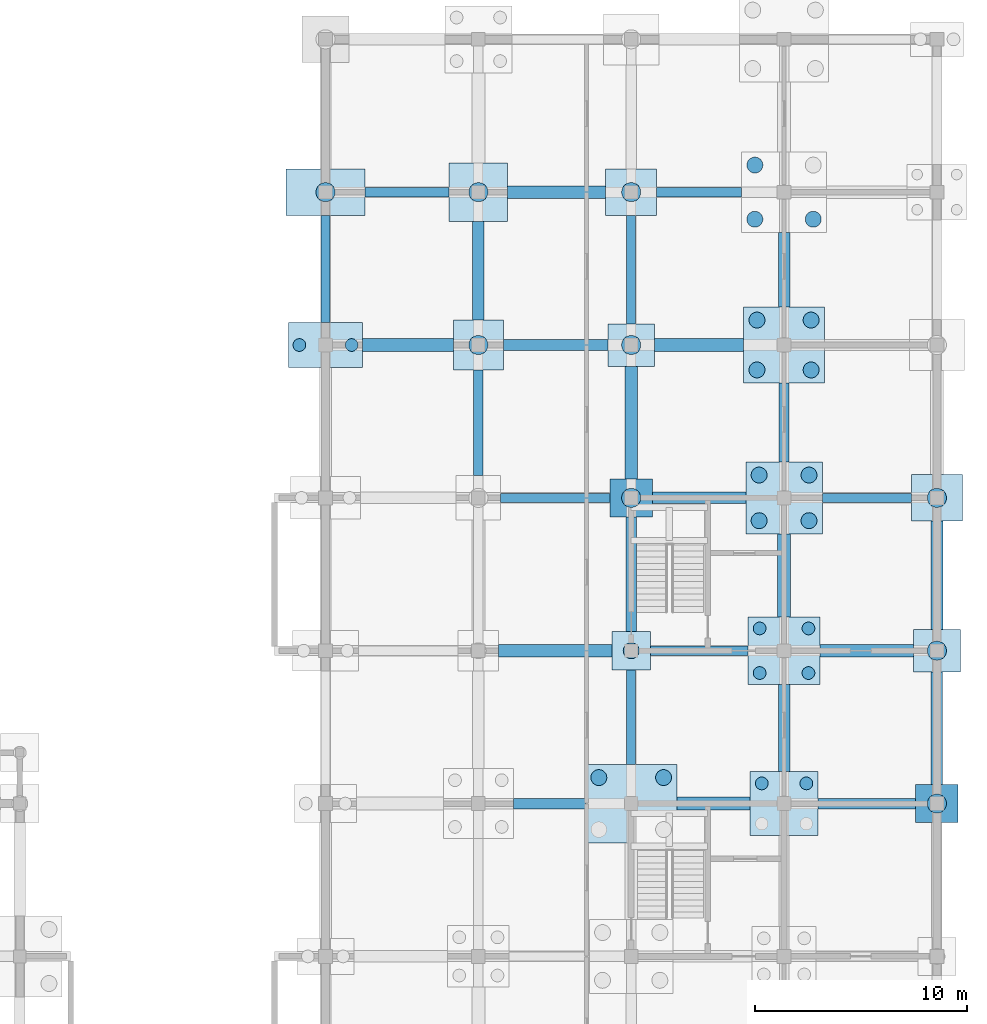
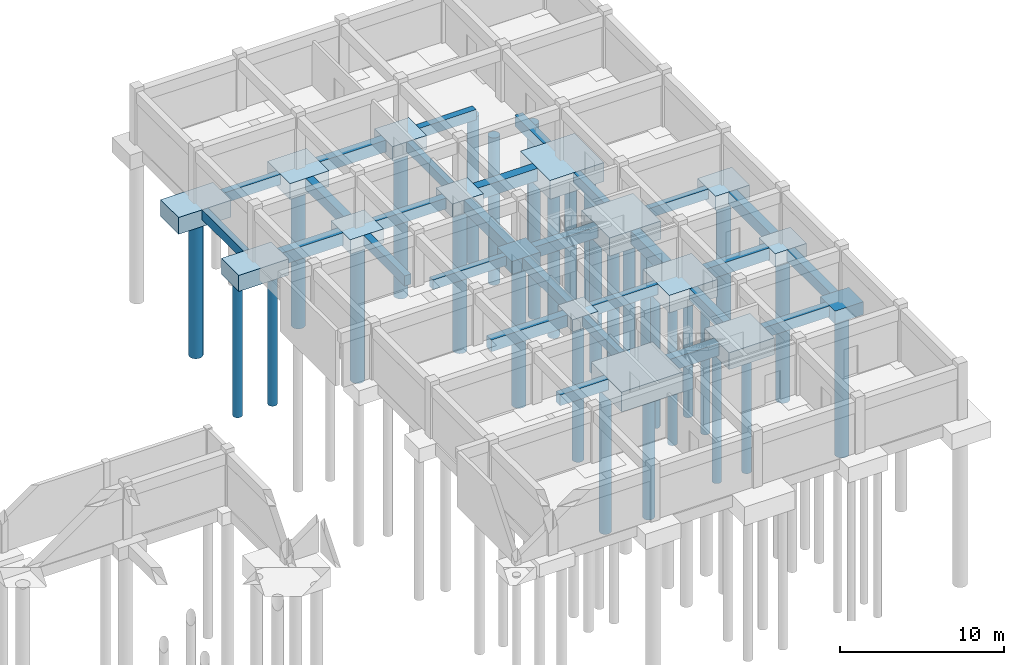
# One storey, part 12 of 38: 44 footings, 31 piles.
"""IFC4 building model written with IfcOpenShell, lengths in metres."""

from ifc_helpers import new_model, si_unit, direction, frame, origin, origin_2d, place, context, subcontext, project, spatial, polyline, rectangle, circle, outline, extrude, material, material_profile, profile_set, type_object, element, save


model = new_model("IFC4")

# Units and contexts
model_context = context("Model", 3, precision=1e-05, world=origin(), true_north=direction((0.0, 1.0)))
body_context = subcontext(model_context, "Body", "Model", "MODEL_VIEW")
ifc_project = project(units=[si_unit("LENGTHUNIT", "METRE"), si_unit("AREAUNIT", "SQUARE_METRE"), si_unit("VOLUMEUNIT", "CUBIC_METRE"), si_unit("PLANEANGLEUNIT", "RADIAN"), si_unit("MASSUNIT", "GRAM", prefix="KILO"), si_unit("THERMODYNAMICTEMPERATUREUNIT", "KELVIN"), si_unit("POWERUNIT", "WATT")], contexts=[model_context])

# Site, building, storey
site_placement = place(None, origin())
site = spatial("IfcSite", under=ifc_project, at=site_placement, CompositionType="ELEMENT")
building_placement = place(site_placement, origin())
building = spatial("IfcBuilding", under=site, at=building_placement, Name="Tavuni Mirador Residences", CompositionType="ELEMENT")
storey_placement = place(building_placement, frame((0.0, 0.0, -4.199951171875)))
storey = spatial("IfcBuildingStorey", under=building, at=storey_placement, Name="B1", CompositionType="ELEMENT", Elevation=-4.199951171875)

# Footings
ifc_material = material(Name="In-situ concrete C35/45", Category="concrete")
footing_type_1 = type_object("IfcFootingType", Name="FT-GB01", PredefinedType="FOOTING_BEAM", material=ifc_material)
footing_1_placement = place(storey_placement, frame((0.0, 0.0, -0.719970703125)))
element("IfcFooting", 1, at=footing_1_placement, inside=storey, type_object=footing_type_1, Name="GBY-BLK-D-00-05", PredefinedType="FOOTING_BEAM", context=body_context, shape_type="SweptSolid", body=[
    extrude(outline(polyline([(89.7900390625, 123.449951171875), (90.2099609375, 123.449951171875), (90.2099609375, 128.5), (89.7900390625, 128.5), (89.7900390625, 123.449951171875)])), origin(), (0.0, 0.0, 1.0), 0.719970703125),
])
footing_2_placement = place(storey_placement, frame((0.0, 0.0, -0.719970703125)))
element("IfcFooting", 2, at=footing_2_placement, inside=storey, type_object=footing_type_1, Name="GBX-BLK-D-01-04", PredefinedType="FOOTING_BEAM", context=body_context, shape_type="SweptSolid", body=[
    extrude(outline(polyline([(98.25, 114.989990234375), (103.39990234375, 114.989990234375), (103.39990234375, 115.409912109375), (98.25, 115.409912109375), (98.25, 114.989990234375)])), origin(), (0.0, 0.0, 1.0), 0.719970703125),
])
footing_3_placement = place(storey_placement, frame((0.0, 0.0, -0.719970703125)))
element("IfcFooting", 3, at=footing_3_placement, inside=storey, type_object=footing_type_1, Name="GBY-BLK-D-02-02", PredefinedType="FOOTING_BEAM", context=body_context, shape_type="SweptSolid", body=[
    extrude(outline(polyline([(104.18994140625, 102.64990234375), (104.610107421875, 102.64990234375), (104.610107421875, 107.10009765625), (104.18994140625, 107.10009765625), (104.18994140625, 102.64990234375)])), origin(), (0.0, 0.0, 1.0), 0.719970703125),
])
footing_4_placement = place(storey_placement, frame((0.0, 0.0, -0.719970703125)))
element("IfcFooting", 4, at=footing_4_placement, inside=storey, type_object=footing_type_1, Name="GBY-BLK-D-02-05", PredefinedType="FOOTING_BEAM", context=body_context, shape_type="SweptSolid", body=[
    extrude(outline(polyline([(104.18994140625, 123.39990234375), (104.610107421875, 123.39990234375), (104.610107421875, 128.5), (104.18994140625, 128.5), (104.18994140625, 123.39990234375)])), origin(), (0.0, 0.0, 1.0), 0.719970703125),
])
footing_5_placement = place(storey_placement, frame((0.0, 0.0, -0.719970703125)))
element("IfcFooting", 5, at=footing_5_placement, inside=storey, type_object=footing_type_1, Name="GBX-BLK-D-03-04", PredefinedType="FOOTING_BEAM", context=body_context, shape_type="SweptSolid", body=[
    extrude(outline(polyline([(113.39990234375, 114.989990234375), (117.60009765625, 114.989990234375), (117.60009765625, 115.409912109375), (113.39990234375, 115.409912109375), (113.39990234375, 114.989990234375)])), origin(), (0.0, 0.0, 1.0), 0.719970703125),
])
footing_type_2 = type_object("IfcFootingType", Name="FT-GB02", PredefinedType="FOOTING_BEAM", material=ifc_material)
footing_6_placement = place(storey_placement, frame((0.0, 0.0, -0.760009765625)))
element("IfcFooting", 6, at=footing_6_placement, inside=storey, type_object=footing_type_2, Name="GBX-BLK-D-00-06", PredefinedType="FOOTING_BEAM", context=body_context, shape_type="SweptSolid", body=[
    extrude(outline(polyline([(91.85009765625, 129.3701171875), (95.824951171875, 129.3701171875), (95.824951171875, 129.830078125), (91.85009765625, 129.830078125), (91.85009765625, 129.3701171875)])), origin(), (0.0, 0.0, 1.0), 0.760009765625),
])
footing_7_placement = place(storey_placement, frame((0.0, 0.0, -0.760009765625)))
element("IfcFooting", 7, at=footing_7_placement, inside=storey, type_object=footing_type_2, Name="GBY-BLK-D-01-04", PredefinedType="FOOTING_BEAM", context=body_context, shape_type="SweptSolid", body=[
    extrude(outline(polyline([(96.969970703125, 116.25), (97.429931640625, 116.25), (97.429931640625, 121.22509765625), (96.969970703125, 121.22509765625), (96.969970703125, 116.25)])), origin(), (0.0, 0.0, 1.0), 0.760009765625),
])
footing_8_placement = place(storey_placement, frame((0.0, 0.0, -0.760009765625)))
element("IfcFooting", 8, at=footing_8_placement, inside=storey, type_object=footing_type_2, Name="GBX-BLK-D-02-03", PredefinedType="FOOTING_BEAM", context=body_context, shape_type="SweptSolid", body=[
    extrude(outline(polyline([(105.300048828125, 107.77001953125), (109.89990234375, 107.77001953125), (109.89990234375, 108.22998046875), (105.300048828125, 108.22998046875), (105.300048828125, 107.77001953125)])), origin(), (0.0, 0.0, 1.0), 0.760009765625),
])
footing_9_placement = place(storey_placement, frame((0.0, 0.0, -0.760009765625)))
element("IfcFooting", 9, at=footing_9_placement, inside=storey, type_object=footing_type_2, Name="GBX-BLK-D-02-06", PredefinedType="FOOTING_BEAM", context=body_context, shape_type="SweptSolid", body=[
    extrude(outline(polyline([(105.60009765625, 129.3701171875), (109.60009765625, 129.3701171875), (109.60009765625, 129.830078125), (105.60009765625, 129.830078125), (105.60009765625, 129.3701171875)])), origin(), (0.0, 0.0, 1.0), 0.760009765625),
])
footing_10_placement = place(storey_placement, frame((0.0, 0.0, -0.760009765625)))
element("IfcFooting", 10, at=footing_10_placement, inside=storey, type_object=footing_type_2, Name="GBY-BLK-D-03-04", PredefinedType="FOOTING_BEAM", context=body_context, shape_type="SweptSolid", body=[
    extrude(outline(polyline([(111.3701171875, 116.89990234375), (111.830078125, 116.89990234375), (111.830078125, 120.60009765625), (111.3701171875, 120.60009765625), (111.3701171875, 116.89990234375)])), origin(), (0.0, 0.0, 1.0), 0.760009765625),
])
footing_type_3 = type_object("IfcFootingType", Name="FT-GB03", PredefinedType="FOOTING_BEAM", material=ifc_material)
footing_11_placement = place(storey_placement, frame((0.0, 0.0, -0.800048828125)))
element("IfcFooting", 11, at=footing_11_placement, inside=storey, type_object=footing_type_3, Name="GBX-BLK-D-01-02", PredefinedType="FOOTING_BEAM", context=body_context, shape_type="SweptSolid", body=[
    extrude(outline(polyline([(98.85009765625, 100.550048828125), (102.25, 100.550048828125), (102.25, 101.050048828125), (98.85009765625, 101.050048828125), (98.85009765625, 100.550048828125)])), origin(), (0.0, 0.0, 1.0), 0.800048828125),
])
footing_12_placement = place(storey_placement, frame((0.0, 0.0, -0.800048828125)))
element("IfcFooting", 12, at=footing_12_placement, inside=storey, type_object=footing_type_3, Name="GBX-BLK-D-01-05", PredefinedType="FOOTING_BEAM", context=body_context, shape_type="SweptSolid", body=[
    extrude(outline(polyline([(98.375, 122.14990234375), (103.300048828125, 122.14990234375), (103.300048828125, 122.64990234375), (98.375, 122.64990234375), (98.375, 122.14990234375)])), origin(), (0.0, 0.0, 1.0), 0.800048828125),
])
footing_13_placement = place(storey_placement, frame((0.0, 0.0, -0.800048828125)))
element("IfcFooting", 13, at=footing_13_placement, inside=storey, type_object=footing_type_3, Name="GBY-BLK-D-02-03", PredefinedType="FOOTING_BEAM", context=body_context, shape_type="SweptSolid", body=[
    extrude(outline(polyline([(104.14990234375, 108.89990234375), (104.64990234375, 108.89990234375), (104.64990234375, 114.300048828125), (104.14990234375, 114.300048828125), (104.14990234375, 108.89990234375)])), origin(), (0.0, 0.0, 1.0), 0.800048828125),
])
footing_14_placement = place(storey_placement, frame((0.0, 0.0, -0.800048828125)))
element("IfcFooting", 14, at=footing_14_placement, inside=storey, type_object=footing_type_3, Name="GBX-BLK-D-03-02", PredefinedType="FOOTING_BEAM", context=body_context, shape_type="SweptSolid", body=[
    extrude(outline(polyline([(113.199951171875, 100.550048828125), (117.800048828125, 100.550048828125), (117.800048828125, 101.050048828125), (113.199951171875, 101.050048828125), (113.199951171875, 100.550048828125)])), origin(), (0.0, 0.0, 1.0), 0.800048828125),
])
footing_type_4 = type_object("IfcFootingType", Name="FT-GB04", PredefinedType="FOOTING_BEAM", material=ifc_material)
footing_15_placement = place(storey_placement, frame((0.0, 0.0, -0.840087890625)))
element("IfcFooting", 15, at=footing_15_placement, inside=storey, type_object=footing_type_4, Name="GBY-BLK-D-01-05", PredefinedType="FOOTING_BEAM", context=body_context, shape_type="SweptSolid", body=[
    extrude(outline(polyline([(96.929931640625, 123.574951171875), (97.469970703125, 123.574951171875), (97.469970703125, 128.22509765625), (96.929931640625, 128.22509765625), (96.929931640625, 123.574951171875)])), origin(), (0.0, 0.0, 1.0), 0.840087890625),
])
footing_16_placement = place(storey_placement, frame((0.0, 0.0, -0.840087890625)))
element("IfcFooting", 16, at=footing_16_placement, inside=storey, type_object=footing_type_4, Name="GBX-BLK-D-02-04", PredefinedType="FOOTING_BEAM", context=body_context, shape_type="SweptSolid", body=[
    extrude(outline(polyline([(105.39990234375, 114.929931640625), (109.800048828125, 114.929931640625), (109.800048828125, 115.469970703125), (105.39990234375, 115.469970703125), (105.39990234375, 114.929931640625)])), origin(), (0.0, 0.0, 1.0), 0.840087890625),
])
footing_17_placement = place(storey_placement, frame((0.0, 0.0, -0.840087890625)))
element("IfcFooting", 17, at=footing_17_placement, inside=storey, type_object=footing_type_4, Name="GBY-BLK-D-03-02", PredefinedType="FOOTING_BEAM", context=body_context, shape_type="SweptSolid", body=[
    extrude(outline(polyline([(111.330078125, 102.300048828125), (111.8701171875, 102.300048828125), (111.8701171875, 106.39990234375), (111.330078125, 106.39990234375), (111.330078125, 102.300048828125)])), origin(), (0.0, 0.0, 1.0), 0.840087890625),
])
footing_18_placement = place(storey_placement, frame((0.0, 0.0, -0.840087890625)))
element("IfcFooting", 18, at=footing_18_placement, inside=storey, type_object=footing_type_4, Name="GBY-BLK-D-03-05", PredefinedType="FOOTING_BEAM", context=body_context, shape_type="SweptSolid", body=[
    extrude(outline(polyline([(111.330078125, 124.199951171875), (111.8701171875, 124.199951171875), (111.8701171875, 127.699951171875), (111.330078125, 127.699951171875), (111.330078125, 124.199951171875)])), origin(), (0.0, 0.0, 1.0), 0.840087890625),
])
footing_19_placement = place(storey_placement, frame((0.0, 0.0, -0.840087890625)))
element("IfcFooting", 19, at=footing_19_placement, inside=storey, type_object=footing_type_4, Name="GBY-BLK-D-04-02", PredefinedType="FOOTING_BEAM", context=body_context, shape_type="SweptSolid", body=[
    extrude(outline(polyline([(118.530029296875, 101.699951171875), (119.070068359375, 101.699951171875), (119.070068359375, 107.0), (118.530029296875, 107.0), (118.530029296875, 101.699951171875)])), origin(), (0.0, 0.0, 1.0), 0.840087890625),
])
footing_type_5 = type_object("IfcFootingType", Name="FT-GB05", PredefinedType="FOOTING_BEAM", material=ifc_material)
footing_20_placement = place(storey_placement, frame((0.0, 0.0, -0.880126953125)))
element("IfcFooting", 20, at=footing_20_placement, inside=storey, type_object=footing_type_5, Name="GBX-BLK-D-01-03", PredefinedType="FOOTING_BEAM", context=body_context, shape_type="SweptSolid", body=[
    extrude(outline(polyline([(98.14990234375, 107.7099609375), (103.5, 107.7099609375), (103.5, 108.2900390625), (98.14990234375, 108.2900390625), (98.14990234375, 107.7099609375)])), origin(), (0.0, 0.0, 1.0), 0.880126953125),
])
footing_21_placement = place(storey_placement, frame((0.0, 0.0, -0.880126953125)))
element("IfcFooting", 21, at=footing_21_placement, inside=storey, type_object=footing_type_5, Name="GBX-BLK-D-01-06", PredefinedType="FOOTING_BEAM", context=body_context, shape_type="SweptSolid", body=[
    extrude(outline(polyline([(98.574951171875, 129.31005859375), (103.199951171875, 129.31005859375), (103.199951171875, 129.889892578125), (98.574951171875, 129.889892578125), (98.574951171875, 129.31005859375)])), origin(), (0.0, 0.0, 1.0), 0.880126953125),
])
footing_22_placement = place(storey_placement, frame((0.0, 0.0, -0.880126953125)))
element("IfcFooting", 22, at=footing_22_placement, inside=storey, type_object=footing_type_5, Name="GBY-BLK-D-02-04", PredefinedType="FOOTING_BEAM", context=body_context, shape_type="SweptSolid", body=[
    extrude(outline(polyline([(104.110107421875, 116.10009765625), (104.68994140625, 116.10009765625), (104.68994140625, 121.39990234375), (104.110107421875, 121.39990234375), (104.110107421875, 116.10009765625)])), origin(), (0.0, 0.0, 1.0), 0.880126953125),
])
footing_23_placement = place(storey_placement, frame((0.0, 0.0, -0.880126953125)))
element("IfcFooting", 23, at=footing_23_placement, inside=storey, type_object=footing_type_5, Name="GBX-BLK-D-03-03", PredefinedType="FOOTING_BEAM", context=body_context, shape_type="SweptSolid", body=[
    extrude(outline(polyline([(113.300048828125, 107.7099609375), (117.699951171875, 107.7099609375), (117.699951171875, 108.2900390625), (113.300048828125, 108.2900390625), (113.300048828125, 107.7099609375)])), origin(), (0.0, 0.0, 1.0), 0.880126953125),
])
footing_24_placement = place(storey_placement, frame((0.0, 0.0, -0.880126953125)))
element("IfcFooting", 24, at=footing_24_placement, inside=storey, type_object=footing_type_5, Name="GBY-BLK-D-04-03", PredefinedType="FOOTING_BEAM", context=body_context, shape_type="SweptSolid", body=[
    extrude(outline(polyline([(118.510009765625, 109.0), (119.090087890625, 109.0), (119.090087890625, 114.10009765625), (118.510009765625, 114.10009765625), (118.510009765625, 109.0)])), origin(), (0.0, 0.0, 1.0), 0.880126953125),
])
footing_type_6 = type_object("IfcFootingType", Name="FT-GB06", PredefinedType="FOOTING_BEAM", material=ifc_material)
footing_25_placement = place(storey_placement, frame((0.0, 0.0, -0.920166015625)))
element("IfcFooting", 25, at=footing_25_placement, inside=storey, type_object=footing_type_6, Name="GBX-BLK-D-00-05", PredefinedType="FOOTING_BEAM", context=body_context, shape_type="SweptSolid", body=[
    extrude(outline(polyline([(91.75, 122.090087890625), (96.02490234375, 122.090087890625), (96.02490234375, 122.7099609375), (91.75, 122.7099609375), (91.75, 122.090087890625)])), origin(), (0.0, 0.0, 1.0), 0.920166015625),
])
footing_26_placement = place(storey_placement, frame((0.0, 0.0, -0.920166015625)))
element("IfcFooting", 26, at=footing_26_placement, inside=storey, type_object=footing_type_6, Name="GBX-BLK-D-02-02", PredefinedType="FOOTING_BEAM", context=body_context, shape_type="SweptSolid", body=[
    extrude(outline(polyline([(106.550048828125, 100.489990234375), (110.0, 100.489990234375), (110.0, 101.110107421875), (106.550048828125, 101.110107421875), (106.550048828125, 100.489990234375)])), origin(), (0.0, 0.0, 1.0), 0.920166015625),
])
footing_27_placement = place(storey_placement, frame((0.0, 0.0, -0.920166015625)))
element("IfcFooting", 27, at=footing_27_placement, inside=storey, type_object=footing_type_6, Name="GBX-BLK-D-02-05", PredefinedType="FOOTING_BEAM", context=body_context, shape_type="SweptSolid", body=[
    extrude(outline(polyline([(105.5, 122.090087890625), (109.699951171875, 122.090087890625), (109.699951171875, 122.7099609375), (105.5, 122.7099609375), (105.5, 122.090087890625)])), origin(), (0.0, 0.0, 1.0), 0.920166015625),
])
footing_28_placement = place(storey_placement, frame((0.0, 0.0, -0.920166015625)))
element("IfcFooting", 28, at=footing_28_placement, inside=storey, type_object=footing_type_6, Name="GBY-BLK-D-03-03", PredefinedType="FOOTING_BEAM", context=body_context, shape_type="SweptSolid", body=[
    extrude(outline(polyline([(111.2900390625, 109.60009765625), (111.909912109375, 109.60009765625), (111.909912109375, 113.5), (111.2900390625, 113.5), (111.2900390625, 109.60009765625)])), origin(), (0.0, 0.0, 1.0), 0.920166015625),
])
footing_type_7 = type_object("IfcFootingType", Name="FT-PC01", PredefinedType="PILE_CAP", material=ifc_material)
footing_29_placement = place(storey_placement, frame((104.39990234375, 108.0, -0.89990234375), z_axis=(0.0, 0.0, 1.0), x_axis=(1.0, 0.0, 0.0)))
element("IfcFooting", 29, at=footing_29_placement, inside=storey, type_object=footing_type_7, Name="CAP-BLK-D-02-03", PredefinedType="PILE_CAP", context=body_context, shape_type="SweptSolid", body=[
    extrude(rectangle(XDim=1.800048828125, YDim=1.800048828125, at=origin_2d()), origin(), (0.0, 0.0, 1.0), 0.89990234375),
])
footing_type_8 = type_object("IfcFootingType", Name="FT-PC02", PredefinedType="PILE_CAP", material=ifc_material)
for number, where, z_axis, x_axis, name in (
    (30, (104.39990234375, 115.199951171875, -0.9501953125), (0.0, 0.0, 1.0), (1.0, 0.0, 0.0), "CAP-BLK-D-02-04"),
    (31, (118.800048828125, 100.800048828125, -0.9501953125), (0.0, 0.0, 1.0), (1.0, 0.0, 0.0), "CAP-BLK-D-04-02"),
):
    element("IfcFooting", number, at=place(storey_placement, frame(where, z_axis=z_axis, x_axis=x_axis)), inside=storey, type_object=footing_type_8, Name=name, PredefinedType="PILE_CAP", context=body_context, shape_type="SweptSolid", body=[
        extrude(rectangle(XDim=2.0, YDim=1.800048828125, at=origin_2d()), origin(), (0.0, 0.0, 1.0), 0.949951171875),
    ])
footing_type_9 = type_object("IfcFootingType", Name="FT-PC03", PredefinedType="PILE_CAP", material=ifc_material)
for number, where, z_axis, x_axis, name in (
    (32, (104.39990234375, 122.39990234375, -1.0), (0.0, 0.0, 1.0), (1.0, 0.0, 0.0), "CAP-BLK-D-02-05"),
    (33, (118.800048828125, 108.0, -1.0), (0.0, 0.0, 1.0), (1.0, 0.0, 0.0), "CAP-BLK-D-04-03"),
):
    element("IfcFooting", number, at=place(storey_placement, frame(where, z_axis=z_axis, x_axis=x_axis)), inside=storey, type_object=footing_type_9, Name=name, PredefinedType="PILE_CAP", context=body_context, shape_type="SweptSolid", body=[
        extrude(rectangle(XDim=2.199951171875, YDim=2.0, at=origin_2d()), origin(), (0.0, 0.0, 1.0), 1.0),
    ])
footing_type_10 = type_object("IfcFootingType", Name="FT-PC04", PredefinedType="PILE_CAP", material=ifc_material)
for number, where, z_axis, x_axis, name in (
    (34, (104.39990234375, 129.60009765625, -1.05029296875), (0.0, 0.0, 1.0), (1.0, 0.0, 0.0), "CAP-BLK-D-02-06"),
    (35, (118.800048828125, 115.199951171875, -1.05029296875), (0.0, 0.0, 1.0), (1.0, 0.0, 0.0), "CAP-BLK-D-04-04"),
):
    element("IfcFooting", number, at=place(storey_placement, frame(where, z_axis=z_axis, x_axis=x_axis)), inside=storey, type_object=footing_type_10, Name=name, PredefinedType="PILE_CAP", context=body_context, shape_type="SweptSolid", body=[
        extrude(rectangle(XDim=2.39990234375, YDim=2.199951171875, at=origin_2d()), origin(), (0.0, 0.0, 1.0), 1.050048828125),
    ])
footing_type_11 = type_object("IfcFootingType", Name="FT-PC08", PredefinedType="PILE_CAP", material=ifc_material)
footing_30_placement = place(storey_placement, frame((111.60009765625, 100.800048828125, -1.25), z_axis=(0.0, 0.0, 1.0), x_axis=(1.0, 0.0, 0.0)))
element("IfcFooting", 36, at=footing_30_placement, inside=storey, type_object=footing_type_11, Name="CAP-BLK-D-03-02", PredefinedType="PILE_CAP", context=body_context, shape_type="SweptSolid", body=[
    extrude(rectangle(XDim=3.199951171875, YDim=3.0, at=origin_2d()), origin(), (0.0, 0.0, 1.0), 1.25),
])
footing_type_12 = type_object("IfcFootingType", Name="FT-PC09", PredefinedType="PILE_CAP", material=ifc_material)
footing_31_placement = place(storey_placement, frame((111.60009765625, 108.0, -1.30029296875), z_axis=(0.0, 0.0, 1.0), x_axis=(1.0, 0.0, 0.0)))
element("IfcFooting", 37, at=footing_31_placement, inside=storey, type_object=footing_type_12, Name="CAP-BLK-D-03-03", PredefinedType="PILE_CAP", context=body_context, shape_type="SweptSolid", body=[
    extrude(rectangle(XDim=3.39990234375, YDim=3.199951171875, at=origin_2d()), origin(), (0.0, 0.0, 1.0), 1.300048828125),
])
footing_type_13 = type_object("IfcFootingType", Name="FT-PC10", PredefinedType="PILE_CAP", material=ifc_material)
footing_32_placement = place(storey_placement, frame((111.60009765625, 115.199951171875, -1.35009765625), z_axis=(0.0, 0.0, 1.0), x_axis=(1.0, 0.0, 0.0)))
element("IfcFooting", 38, at=footing_32_placement, inside=storey, type_object=footing_type_13, Name="CAP-BLK-D-03-04", PredefinedType="PILE_CAP", context=body_context, shape_type="SweptSolid", body=[
    extrude(rectangle(XDim=3.60009765625, YDim=3.39990234375, at=origin_2d()), origin(), (0.0, 0.0, 1.0), 1.35009765625),
])
footing_type_14 = type_object("IfcFootingType", Name="FT-PC11", PredefinedType="PILE_CAP", material=ifc_material)
footing_33_placement = place(storey_placement, frame((111.60009765625, 122.39990234375, -1.39990234375), z_axis=(0.0, 0.0, 1.0), x_axis=(1.0, 0.0, 0.0)))
element("IfcFooting", 39, at=footing_33_placement, inside=storey, type_object=footing_type_14, Name="CAP-BLK-D-03-05", PredefinedType="PILE_CAP", context=body_context, shape_type="SweptSolid", body=[
    extrude(rectangle(XDim=3.800048828125, YDim=3.60009765625, at=origin_2d()), origin(), (0.0, 0.0, 1.0), 1.39990234375),
])
footing_type_15 = type_object("IfcFootingType", Name="FT-PC19", PredefinedType="PILE_CAP", material=ifc_material)
footing_34_placement = place(storey_placement, frame((90.0, 122.39990234375, -1.2001953125), z_axis=(0.0, 0.0, 1.0), x_axis=(1.0, 0.0, 0.0)))
element("IfcFooting", 40, at=footing_34_placement, inside=storey, type_object=footing_type_15, Name="CAP-BLK-D-00-05", PredefinedType="PILE_CAP", context=body_context, shape_type="SweptSolid", body=[
    extrude(rectangle(XDim=3.5, YDim=2.10009765625, at=origin_2d()), origin(), (0.0, 0.0, 1.0), 1.199951171875),
])
footing_type_16 = type_object("IfcFootingType", Name="FT-PC20", PredefinedType="PILE_CAP", material=ifc_material)
footing_35_placement = place(storey_placement, frame((90.0, 129.60009765625, -1.25), z_axis=(0.0, 0.0, 1.0), x_axis=(1.0, 0.0, 0.0)))
element("IfcFooting", 41, at=footing_35_placement, inside=storey, type_object=footing_type_16, Name="CAP-BLK-D-00-06", PredefinedType="PILE_CAP", context=body_context, shape_type="SweptSolid", body=[
    extrude(rectangle(XDim=3.699951171875, YDim=2.199951171875, at=origin_2d()), origin(), (0.0, 0.0, 1.0), 1.25),
])
footing_type_17 = type_object("IfcFootingType", Name="FT-PC27", PredefinedType="PILE_CAP", material=ifc_material)
footing_36_placement = place(storey_placement, frame((97.199951171875, 122.39990234375, -1.06005859375), z_axis=(0.0, 0.0, 1.0), x_axis=(1.0, 0.0, 0.0)))
element("IfcFooting", 42, at=footing_36_placement, inside=storey, type_object=footing_type_17, Name="CAP-BLK-D-01-05", PredefinedType="PILE_CAP", context=body_context, shape_type="SweptSolid", body=[
    extrude(rectangle(XDim=2.35009765625, YDim=2.35009765625, at=origin_2d()), origin(), (0.0, 0.0, 1.0), 1.06005859375),
])
footing_type_18 = type_object("IfcFootingType", Name="FT-PC28", PredefinedType="PILE_CAP", material=ifc_material)
footing_37_placement = place(storey_placement, frame((97.199951171875, 129.60009765625, -1.18017578125), z_axis=(0.0, 0.0, 1.0), x_axis=(1.0, 0.0, 0.0)))
element("IfcFooting", 43, at=footing_37_placement, inside=storey, type_object=footing_type_18, Name="CAP-BLK-D-01-06", PredefinedType="PILE_CAP", context=body_context, shape_type="SweptSolid", body=[
    extrude(rectangle(XDim=2.75, YDim=2.75, at=origin_2d()), origin(), (0.0, 0.0, 1.0), 1.179931640625),
])
footing_type_19 = type_object("IfcFootingType", Name="FT-PC32", PredefinedType="PILE_CAP", material=ifc_material)
footing_38_placement = place(storey_placement, frame((104.39990234375, 100.800048828125, -1.47998046875), z_axis=(0.0, 0.0, 1.0), x_axis=(1.0, 0.0, 0.0)))
element("IfcFooting", 44, at=footing_38_placement, inside=storey, type_object=footing_type_19, Name="CAP-BLK-D-02-02", PredefinedType="PILE_CAP", context=body_context, shape_type="SweptSolid", body=[
    extrude(rectangle(XDim=4.300048828125, YDim=3.699951171875, at=origin_2d()), origin(), (0.0, 0.0, 1.0), 1.47998046875),
])

# Piles
ifc_material_profile_1 = material_profile(ifc_material, circle(Radius=0.300048828125, at=origin_2d()), Name="PILE D600", Category="concrete")
ifc_profile_set_1 = profile_set([ifc_material_profile_1], Name="In-situ concrete C35/45")
pile_type_1 = type_object("IfcPileType", Name="PT-D600", PredefinedType="BORED", material=ifc_profile_set_1)
for number, where, z_axis, x_axis, name in (
    (45, (88.77001953125, 122.39990234375, -1.199951171875), (0.0, 0.0, -1.0), (1.0, 0.0, 0.0), "PIL-BLK-D-00-05-1"),
    (46, (91.22998046875, 122.39990234375, -1.199951171875), (0.0, 0.0, -1.0), (1.0, 0.0, 0.0), "PIL-BLK-D-00-05-2"),
):
    element("IfcPile", number, at=place(storey_placement, frame(where, z_axis=z_axis, x_axis=x_axis)), inside=storey, type_object=pile_type_1, Name=name, PredefinedType="BORED", context=body_context, shape_type="SweptSolid", body=[
        extrude(circle(Radius=0.300048828125, at=origin_2d()), origin(), (0.0, 0.0, 1.0), 10.0),
    ])
for number, where, z_axis, x_axis, name in (
    (47, (110.550048828125, 101.75, -1.25), (0.0, 0.0, -1.0), (1.0, 0.0, 0.0), "PIL-BLK-D-03-02-3"),
    (48, (112.64990234375, 101.75, -1.25), (0.0, 0.0, -1.0), (1.0, 0.0, 0.0), "PIL-BLK-D-03-02-4"),
):
    element("IfcPile", number, at=place(storey_placement, frame(where, z_axis=z_axis, x_axis=x_axis)), inside=storey, type_object=pile_type_1, Name=name, PredefinedType="BORED", context=body_context, shape_type="SweptSolid", body=[
        extrude(circle(Radius=0.300048828125, at=origin_2d()), origin(), (0.0, 0.0, 1.0), 9.949951171875),
    ])
for number, where, z_axis, x_axis, name in (
    (49, (110.449951171875, 106.949951171875, -1.300048828125), (0.0, 0.0, -1.0), (1.0, 0.0, 0.0), "PIL-BLK-D-03-03-1"),
    (50, (112.75, 106.949951171875, -1.300048828125), (0.0, 0.0, -1.0), (1.0, 0.0, 0.0), "PIL-BLK-D-03-03-2"),
    (51, (110.449951171875, 109.050048828125, -1.300048828125), (0.0, 0.0, -1.0), (1.0, 0.0, 0.0), "PIL-BLK-D-03-03-3"),
    (52, (112.75, 109.050048828125, -1.300048828125), (0.0, 0.0, -1.0), (1.0, 0.0, 0.0), "PIL-BLK-D-03-03-4"),
):
    element("IfcPile", number, at=place(storey_placement, frame(where, z_axis=z_axis, x_axis=x_axis)), inside=storey, type_object=pile_type_1, Name=name, PredefinedType="BORED", context=body_context, shape_type="SweptSolid", body=[
        extrude(circle(Radius=0.300048828125, at=origin_2d()), origin(), (0.0, 0.0, 1.0), 10.199951171875),
    ])
ifc_material_profile_2 = material_profile(ifc_material, circle(Radius=0.375, at=origin_2d()), Name="PILE D750", Category="concrete")
ifc_profile_set_2 = profile_set([ifc_material_profile_2], Name="In-situ concrete C35/45")
pile_type_2 = type_object("IfcPileType", Name="PT-D750", PredefinedType="BORED", material=ifc_profile_set_2)
for number, where, z_axis, x_axis, name in (
    (53, (102.875, 102.02490234375, -1.47998046875), (0.0, 0.0, -1.0), (1.0, 0.0, 0.0), "PIL-BLK-D-02-02-3"),
    (54, (105.925048828125, 102.02490234375, -1.47998046875), (0.0, 0.0, -1.0), (1.0, 0.0, 0.0), "PIL-BLK-D-02-02-4"),
):
    element("IfcPile", number, at=place(storey_placement, frame(where, z_axis=z_axis, x_axis=x_axis)), inside=storey, type_object=pile_type_2, Name=name, PredefinedType="BORED", context=body_context, shape_type="SweptSolid", body=[
        extrude(circle(Radius=0.375, at=origin_2d()), origin(), (0.0, 0.0, 1.0), 10.919921875),
    ])
pile_1_placement = place(storey_placement, frame((104.39990234375, 108.0, -0.900146484375), z_axis=(0.0, 0.0, -1.0), x_axis=(1.0, 0.0, 0.0)))
element("IfcPile", 55, at=pile_1_placement, inside=storey, type_object=pile_type_2, Name="PIL-BLK-D-02-03-1", PredefinedType="BORED", context=body_context, shape_type="SweptSolid", body=[
    extrude(circle(Radius=0.375, at=origin_2d()), origin(), (0.0, 0.0, 1.0), 10.300048828125),
])
for number, where, z_axis, x_axis, name in (
    (56, (110.425048828125, 114.125, -1.35009765625), (0.0, 0.0, -1.0), (1.0, 0.0, 0.0), "PIL-BLK-D-03-04-1"),
    (57, (112.77490234375, 114.125, -1.35009765625), (0.0, 0.0, -1.0), (1.0, 0.0, 0.0), "PIL-BLK-D-03-04-2"),
    (58, (110.425048828125, 116.27490234375, -1.35009765625), (0.0, 0.0, -1.0), (1.0, 0.0, 0.0), "PIL-BLK-D-03-04-3"),
    (59, (112.77490234375, 116.27490234375, -1.35009765625), (0.0, 0.0, -1.0), (1.0, 0.0, 0.0), "PIL-BLK-D-03-04-4"),
):
    element("IfcPile", number, at=place(storey_placement, frame(where, z_axis=z_axis, x_axis=x_axis)), inside=storey, type_object=pile_type_2, Name=name, PredefinedType="BORED", context=body_context, shape_type="SweptSolid", body=[
        extrude(circle(Radius=0.375, at=origin_2d()), origin(), (0.0, 0.0, 1.0), 10.449951171875),
    ])
for number, where, z_axis, x_axis, name in (
    (60, (110.324951171875, 121.22509765625, -1.400146484375), (0.0, 0.0, -1.0), (1.0, 0.0, 0.0), "PIL-BLK-D-03-05-1"),
    (61, (112.875, 121.22509765625, -1.400146484375), (0.0, 0.0, -1.0), (1.0, 0.0, 0.0), "PIL-BLK-D-03-05-2"),
    (62, (110.324951171875, 123.574951171875, -1.400146484375), (0.0, 0.0, -1.0), (1.0, 0.0, 0.0), "PIL-BLK-D-03-05-3"),
    (63, (112.875, 123.574951171875, -1.400146484375), (0.0, 0.0, -1.0), (1.0, 0.0, 0.0), "PIL-BLK-D-03-05-4"),
):
    element("IfcPile", number, at=place(storey_placement, frame(where, z_axis=z_axis, x_axis=x_axis)), inside=storey, type_object=pile_type_2, Name=name, PredefinedType="BORED", context=body_context, shape_type="SweptSolid", body=[
        extrude(circle(Radius=0.375, at=origin_2d()), origin(), (0.0, 0.0, 1.0), 10.699951171875),
    ])
for number, where, z_axis, x_axis, name in (
    (64, (110.22509765625, 128.324951171875, -1.449951171875), (0.0, 0.0, -1.0), (1.0, 0.0, 0.0), "PIL-BLK-D-03-06-1"),
    (65, (112.97509765625, 128.324951171875, -1.449951171875), (0.0, 0.0, -1.0), (1.0, 0.0, 0.0), "PIL-BLK-D-03-06-2"),
    (66, (110.22509765625, 130.875, -1.449951171875), (0.0, 0.0, -1.0), (1.0, 0.0, 0.0), "PIL-BLK-D-03-06-3"),
):
    element("IfcPile", number, at=place(storey_placement, frame(where, z_axis=z_axis, x_axis=x_axis)), inside=storey, type_object=pile_type_2, Name=name, PredefinedType="BORED", context=body_context, shape_type="SweptSolid", body=[
        extrude(circle(Radius=0.375, at=origin_2d()), origin(), (0.0, 0.0, 1.0), 10.949951171875),
    ])
ifc_material_profile_3 = material_profile(ifc_material, circle(Radius=0.449951171875, at=origin_2d()), Name="PILE D900", Category="concrete")
ifc_profile_set_3 = profile_set([ifc_material_profile_3], Name="In-situ concrete C35/45")
pile_type_3 = type_object("IfcPileType", Name="PT-D900", PredefinedType="BORED", material=ifc_profile_set_3)
pile_2_placement = place(storey_placement, frame((90.0, 129.60009765625, -1.25), z_axis=(0.0, 0.0, -1.0), x_axis=(1.0, 0.0, 0.0)))
element("IfcPile", 67, at=pile_2_placement, inside=storey, type_object=pile_type_3, Name="PIL-BLK-D-00-06-1", PredefinedType="BORED", context=body_context, shape_type="SweptSolid", body=[
    extrude(circle(Radius=0.449951171875, at=origin_2d()), origin(), (0.0, 0.0, 1.0), 10.25),
])
pile_3_placement = place(storey_placement, frame((97.199951171875, 122.39990234375, -1.06005859375), z_axis=(0.0, 0.0, -1.0), x_axis=(1.0, 0.0, 0.0)))
element("IfcPile", 68, at=pile_3_placement, inside=storey, type_object=pile_type_3, Name="PIL-BLK-D-01-05-1", PredefinedType="BORED", context=body_context, shape_type="SweptSolid", body=[
    extrude(circle(Radius=0.449951171875, at=origin_2d()), origin(), (0.0, 0.0, 1.0), 10.43994140625),
])
pile_4_placement = place(storey_placement, frame((97.199951171875, 129.60009765625, -1.179931640625), z_axis=(0.0, 0.0, -1.0), x_axis=(1.0, 0.0, 0.0)))
element("IfcPile", 69, at=pile_4_placement, inside=storey, type_object=pile_type_3, Name="PIL-BLK-D-01-06-1", PredefinedType="BORED", context=body_context, shape_type="SweptSolid", body=[
    extrude(circle(Radius=0.449951171875, at=origin_2d()), origin(), (0.0, 0.0, 1.0), 10.6201171875),
])
pile_5_placement = place(storey_placement, frame((104.39990234375, 115.199951171875, -0.949951171875), z_axis=(0.0, 0.0, -1.0), x_axis=(1.0, 0.0, 0.0)))
element("IfcPile", 70, at=pile_5_placement, inside=storey, type_object=pile_type_3, Name="PIL-BLK-D-02-04-1", PredefinedType="BORED", context=body_context, shape_type="SweptSolid", body=[
    extrude(circle(Radius=0.449951171875, at=origin_2d()), origin(), (0.0, 0.0, 1.0), 10.550048828125),
])
pile_6_placement = place(storey_placement, frame((104.39990234375, 122.39990234375, -1.0), z_axis=(0.0, 0.0, -1.0), x_axis=(1.0, 0.0, 0.0)))
element("IfcPile", 71, at=pile_6_placement, inside=storey, type_object=pile_type_3, Name="PIL-BLK-D-02-05-1", PredefinedType="BORED", context=body_context, shape_type="SweptSolid", body=[
    extrude(circle(Radius=0.449951171875, at=origin_2d()), origin(), (0.0, 0.0, 1.0), 10.800048828125),
])
pile_7_placement = place(storey_placement, frame((104.39990234375, 129.60009765625, -1.050048828125), z_axis=(0.0, 0.0, -1.0), x_axis=(1.0, 0.0, 0.0)))
element("IfcPile", 72, at=pile_7_placement, inside=storey, type_object=pile_type_3, Name="PIL-BLK-D-02-06-1", PredefinedType="BORED", context=body_context, shape_type="SweptSolid", body=[
    extrude(circle(Radius=0.449951171875, at=origin_2d()), origin(), (0.0, 0.0, 1.0), 11.050048828125),
])
pile_8_placement = place(storey_placement, frame((118.800048828125, 100.800048828125, -0.949951171875), z_axis=(0.0, 0.0, -1.0), x_axis=(1.0, 0.0, 0.0)))
element("IfcPile", 73, at=pile_8_placement, inside=storey, type_object=pile_type_3, Name="PIL-BLK-D-04-02-1", PredefinedType="BORED", context=body_context, shape_type="SweptSolid", body=[
    extrude(circle(Radius=0.449951171875, at=origin_2d()), origin(), (0.0, 0.0, 1.0), 10.550048828125),
])
pile_9_placement = place(storey_placement, frame((118.800048828125, 108.0, -1.0), z_axis=(0.0, 0.0, -1.0), x_axis=(1.0, 0.0, 0.0)))
element("IfcPile", 74, at=pile_9_placement, inside=storey, type_object=pile_type_3, Name="PIL-BLK-D-04-03-1", PredefinedType="BORED", context=body_context, shape_type="SweptSolid", body=[
    extrude(circle(Radius=0.449951171875, at=origin_2d()), origin(), (0.0, 0.0, 1.0), 10.800048828125),
])
pile_10_placement = place(storey_placement, frame((118.800048828125, 115.199951171875, -1.050048828125), z_axis=(0.0, 0.0, -1.0), x_axis=(1.0, 0.0, 0.0)))
element("IfcPile", 75, at=pile_10_placement, inside=storey, type_object=pile_type_3, Name="PIL-BLK-D-04-04-1", PredefinedType="BORED", context=body_context, shape_type="SweptSolid", body=[
    extrude(circle(Radius=0.449951171875, at=origin_2d()), origin(), (0.0, 0.0, 1.0), 11.050048828125),
])

save(model, "model.ifc")
